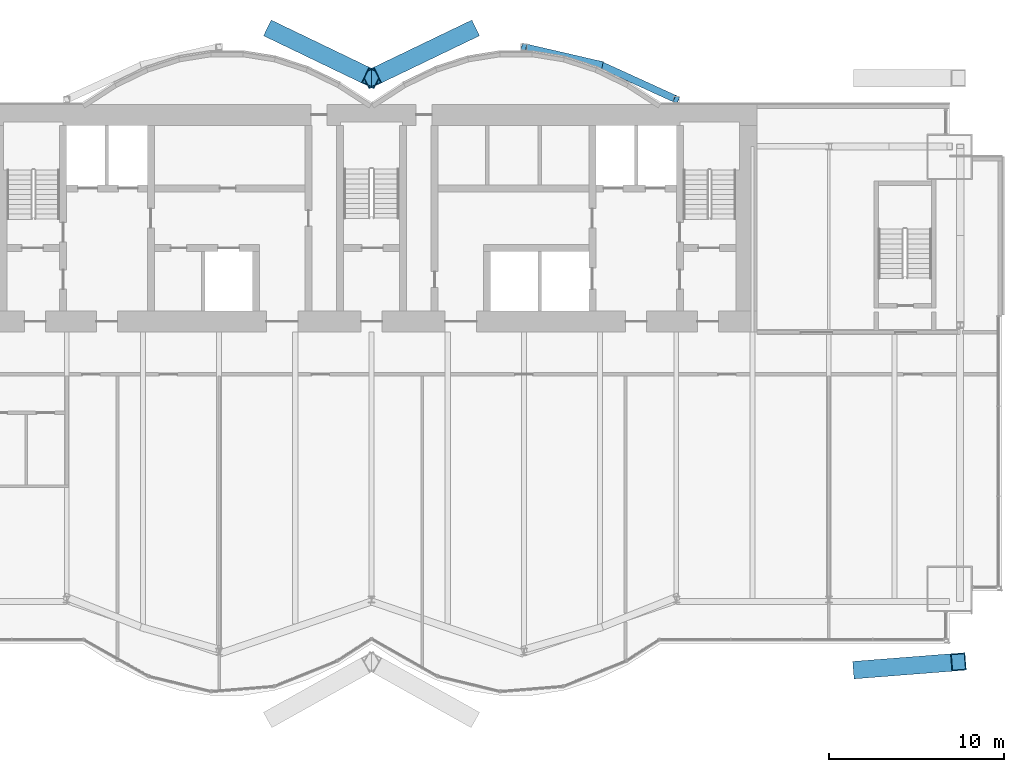
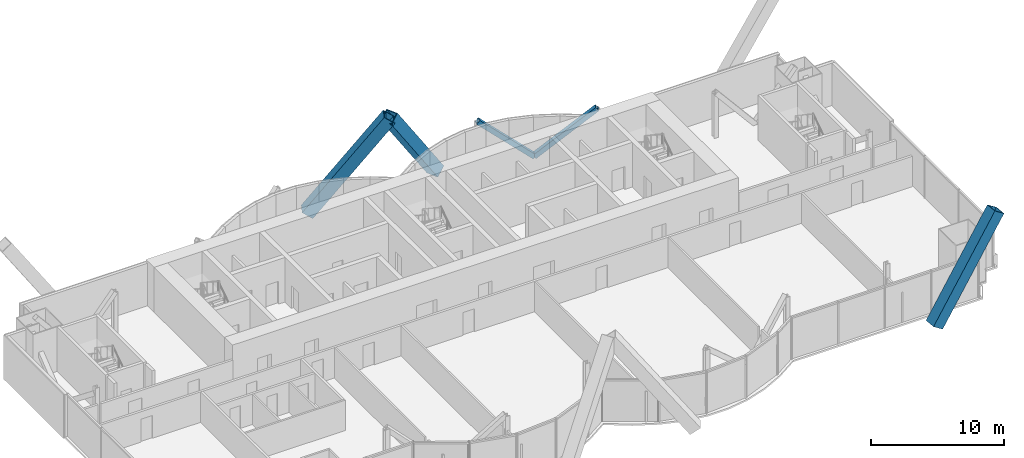
# One storey, part 11 of 20: 5 members.
"""IFC4 building model written with IfcOpenShell, lengths in metres."""

import ifcopenshell
import ifcopenshell.guid

model = None  # the IFC model being written
_history = None  # IfcOwnerHistory: only IFC2X3 demands one
_inside = {}  # id of a spatial element -> (the spatial element, [elements in it])
_under = {}  # id of a project, library or spatial element -> (it, [spatial elements below it])
_declared = {}  # id of a project -> (the project, [libraries it declares])
_typed = {}  # id of a type object -> (the type object, [elements of that type])
_made_of = {}  # id of a material, layer set ... -> (it, [elements and type objects made of it])


def new_model(schema):
    """Start an empty IFC model of exactly this schema.

    Asked for "IFC4X3", IfcOpenShell would pick the latest addendum, in which some entities
    have other attributes; the version numbers below select the first issue.
    IFC2X3 requires an IfcOwnerHistory on every rooted entity: one is made here for all.
    """
    global model, _history
    if schema == "IFC4X3":
        model = ifcopenshell.file(schema_version=(4, 3, 0, 0))
    else:
        model = ifcopenshell.file(schema=schema)
    _inside.clear()
    _under.clear()
    _declared.clear()
    _typed.clear()
    _made_of.clear()
    _history = None
    if model.schema == "IFC2X3":
        org = make("IfcOrganization", Name="unknown")
        user = make(
            "IfcPersonAndOrganization",
            ThePerson=make("IfcPerson", FamilyName="unknown"),
            TheOrganization=org,
        )
        app = make(
            "IfcApplication",
            ApplicationDeveloper=org,
            Version="unknown",
            ApplicationFullName="unknown",
            ApplicationIdentifier="unknown",
        )
        _history = make(
            "IfcOwnerHistory",
            OwningUser=user,
            OwningApplication=app,
            ChangeAction="ADDED",
            CreationDate=0,
        )
    return model


def make(cls, **values):
    """One entity of the class cls with the attributes given. An attribute that is None is left unset."""
    return model.create_entity(
        cls, **{name: value for name, value in values.items() if value is not None}
    )


def rooted(cls, **values):
    """An entity with a GlobalId (a new one), such as an element, a storey or a relation."""
    return make(cls, GlobalId=ifcopenshell.guid.new(), OwnerHistory=_history, **values)


def si_unit(unit_type, name, prefix=None):
    """IfcSIUnit, for example si_unit("LENGTHUNIT", "METRE", prefix="MILLI")."""
    return make("IfcSIUnit", UnitType=unit_type, Prefix=prefix, Name=name)


def assignment(units):
    """IfcUnitAssignment: the units of a project."""
    return None if units is None else make("IfcUnitAssignment", Units=units)


def point(xyz):
    """IfcCartesianPoint."""
    return None if xyz is None else make("IfcCartesianPoint", Coordinates=xyz)


def direction(xyz):
    """IfcDirection."""
    return None if xyz is None else make("IfcDirection", DirectionRatios=xyz)


def frame(location, z_axis=None, x_axis=None):
    """IfcAxis2Placement3D, a coordinate frame: its origin and axes. An axis left out is left unset."""
    return make(
        "IfcAxis2Placement3D",
        Location=point(location),
        Axis=direction(z_axis),
        RefDirection=direction(x_axis),
    )


def frame_2d(location, x_axis=None):
    """IfcAxis2Placement2D, a coordinate frame in the plane: its origin and x axis."""
    return make(
        "IfcAxis2Placement2D", Location=point(location), RefDirection=direction(x_axis)
    )


def origin():
    """The frame at (0, 0, 0) with its axes left unset."""
    return frame((0.0, 0.0, 0.0))


def origin_2d():
    """The frame at (0, 0) in the plane with its x axis left unset."""
    return frame_2d((0.0, 0.0))


def place(relative_to, where):
    """IfcLocalPlacement: puts the frame where relative to a parent placement (None: the world)."""
    return make(
        "IfcLocalPlacement", PlacementRelTo=relative_to, RelativePlacement=where
    )


def context(
    kind, dimensions, precision=None, world=None, true_north=None, identifier=None
):
    """IfcGeometricRepresentationContext, for example the 3D "Model" context."""
    return make(
        "IfcGeometricRepresentationContext",
        ContextIdentifier=identifier,
        ContextType=kind,
        CoordinateSpaceDimension=dimensions,
        Precision=precision,
        WorldCoordinateSystem=world,
        TrueNorth=true_north,
    )


def subcontext(parent, identifier, kind, view, scale=None):
    """IfcGeometricRepresentationSubContext, for example "Body" below "Model"."""
    return make(
        "IfcGeometricRepresentationSubContext",
        ContextIdentifier=identifier,
        ContextType=kind,
        ParentContext=parent,
        TargetScale=scale,
        TargetView=view,
    )


def project(units=None, contexts=None):
    """IfcProject with its units and contexts."""
    return rooted(
        "IfcProject",
        Name="project",
        RepresentationContexts=contexts,
        UnitsInContext=assignment(units),
    )


def spatial(cls, under=None, at=None, **own):
    """A site, building, storey or space (cls), placed at a placement, below another one or the project."""
    s = rooted(cls, ObjectPlacement=at, **own)
    if under is not None:
        _under.setdefault(under.id(), (under, []))[1].append(s)
    return s


def profile(cls, at=None, kind="AREA", **sizes):
    """A parametric profile (cls). Its sizes go by their IFC names, for example OverallWidth=200.0."""
    return make(cls, ProfileType=kind, Position=at, **sizes)


def hollow_rectangle(**sizes):
    """IfcRectangleHollowProfileDef."""
    return profile("IfcRectangleHollowProfileDef", **sizes)


def extrude(swept, where, along, depth):
    """IfcExtrudedAreaSolid: the profile swept, set in the frame where, extruded along a direction by depth."""
    return make(
        "IfcExtrudedAreaSolid",
        SweptArea=swept,
        Position=where,
        ExtrudedDirection=direction(along),
        Depth=depth,
    )


def shape(context_of_items, identifier, shape_type, items):
    """IfcShapeRepresentation: the items that make up one representation, for example the "Body"."""
    return make(
        "IfcShapeRepresentation",
        ContextOfItems=context_of_items,
        RepresentationIdentifier=identifier,
        RepresentationType=shape_type,
        Items=items,
    )


def material(Name=None, Category=None):
    """IfcMaterial."""
    return make("IfcMaterial", Name=Name, Category=Category)


def material_profile(
    of_material, cross_section, Name=None, Category=None, Priority=None
):
    """IfcMaterialProfile: a cross section and its material."""
    return make(
        "IfcMaterialProfile",
        Name=Name,
        Material=of_material,
        Profile=cross_section,
        Priority=Priority,
        Category=Category,
    )


def profile_set(profiles, Name=None, composite=None):
    """IfcMaterialProfileSet."""
    return make(
        "IfcMaterialProfileSet",
        Name=Name,
        MaterialProfiles=profiles,
        CompositeProfile=composite,
    )


def made_of(thing, what):
    """Note that an element or type object is made of a material, layer set ...; save() writes the relation."""
    if what is not None:
        _made_of.setdefault(what.id(), (what, []))[1].append(thing)
    return thing


def type_object(cls, material=None, **own):
    """A type object (cls), such as IfcWallType, which elements share."""
    return made_of(rooted(cls, **own), material)


def element(
    cls,
    number,
    at=None,
    inside=None,
    cuts=None,
    type_object=None,
    material=None,
    context=None,
    identifier="Body",
    shape_type=None,
    held_by="IfcProductDefinitionShape",
    body=None,
    shapes=None,
    **own,
):
    """One element of the class cls, such as IfcWall. Its Tag is "e" and its number.

    at: its placement. inside: the storey or other place that contains it. cuts: it is an
    opening in that element (IfcRelVoidsElement). A single representation is given by context,
    identifier, shape_type and body (its items); several are given by shapes. held_by: the class
    of the entity that holds the representations. save() writes the other relations.
    """
    e = rooted(cls, Tag="e%d" % number, ObjectPlacement=at, **own)
    if body is not None:
        shapes = [shape(context, identifier, shape_type, body)]
    if shapes is not None:
        e.Representation = make(held_by, Representations=shapes)
    if inside is not None:
        _inside.setdefault(inside.id(), (inside, []))[1].append(e)
    if cuts is not None:
        rooted(
            "IfcRelVoidsElement", RelatingBuildingElement=cuts, RelatedOpeningElement=e
        )
    if type_object is not None:
        _typed.setdefault(type_object.id(), (type_object, []))[1].append(e)
    return made_of(e, material)


def aggregate(whole, parts):
    """IfcRelAggregates: a whole, such as a stair, and the parts it consists of."""
    return rooted("IfcRelAggregates", RelatingObject=whole, RelatedObjects=parts)


def save(model, path):
    """Write the relations noted so far, then the file.

    IfcRelAggregates (storeys below a building ...), IfcRelContainedInSpatialStructure (elements
    in a storey), IfcRelDefinesByType, IfcRelAssociatesMaterial and IfcRelDeclares: one each for
    every whole, place, type object, material and project.
    """
    for whole, parts in _under.values():
        aggregate(whole, parts)
    for where, things in _inside.values():
        rooted(
            "IfcRelContainedInSpatialStructure",
            RelatedElements=things,
            RelatingStructure=where,
        )
    for kind, things in _typed.values():
        rooted("IfcRelDefinesByType", RelatedObjects=things, RelatingType=kind)
    for what, things in _made_of.values():
        rooted("IfcRelAssociatesMaterial", RelatedObjects=things, RelatingMaterial=what)
    for by, libraries in _declared.values():
        rooted("IfcRelDeclares", RelatingContext=by, RelatedDefinitions=libraries)
    model.write(path)


model = new_model("IFC4")

# Units and contexts
model_context = context("Model", 3, precision=1e-05, world=origin(), true_north=direction((0.0, 1.0)))
body_context = subcontext(model_context, "Body", "Model", "MODEL_VIEW")
ifc_project = project(units=[si_unit("LENGTHUNIT", "METRE"), si_unit("AREAUNIT", "SQUARE_METRE"), si_unit("VOLUMEUNIT", "CUBIC_METRE"), si_unit("PLANEANGLEUNIT", "RADIAN"), si_unit("MASSUNIT", "GRAM", prefix="KILO")], contexts=[model_context])

# Site, building, storey
site_placement = place(None, origin())
site = spatial("IfcSite", under=ifc_project, at=site_placement, CompositionType="ELEMENT")
building_placement = place(site_placement, origin())
building = spatial("IfcBuilding", under=site, at=building_placement, Name="Bicima Exchange Tower", CompositionType="ELEMENT")
storey_placement = place(building_placement, frame((0.0, 0.0, 231.89990234375)))
storey = spatial("IfcBuildingStorey", under=building, at=storey_placement, Name="L52", CompositionType="ELEMENT", Elevation=231.89990234375)

# Members
ifc_material = material(Name="Steel ASTM A572 Gr 50", Category="steel")
ifc_material_profile_1 = material_profile(ifc_material, hollow_rectangle(XDim=1.0, YDim=1.0, WallThickness=0.06005859375, at=origin_2d()))
ifc_profile_set_1 = profile_set([ifc_material_profile_1], Name="Steel ASTM A572 Gr 50")
member_type_1 = type_object("IfcMemberType", Name="Exo mega brace BOX 1000x1000x60", PredefinedType="BRACE", material=ifc_profile_set_1)
member_1_placement = place(storey_placement, frame((27.916748046875, -32.26513671875, 0.183349609375), z_axis=(0.552269884762, 0.043178912675, 0.832546428666), x_axis=(-0.077946568622, 0.996957537932, 0.0)))
element("IfcMember", 1, at=member_1_placement, inside=storey, type_object=member_type_1, Name="Exo mega brace front", PredefinedType="BRACE", context=body_context, shape_type="SweptSolid", body=[
    extrude(hollow_rectangle(XDim=1.0, YDim=1.0, WallThickness=0.06005859375, at=origin_2d()), origin(), (0.0, 0.0, 1.0), 10.109619140625),
])
for number, where, z_axis, x_axis, name in (
    (2, (-5.583251953125, 4.1865234375, 0.183349609375), (0.53421092373, -0.257049149711, 0.80532255873), (0.433591692225, 0.901109451972, 0.0), "Exo mega brace rear"),
    (3, (5.583251953125, 4.1865234375, 0.183349609375), (-0.53421092373, -0.257049149711, 0.80532255873), (0.433591692225, -0.901109451972, 0.0), "Exo mega brace rear"),
):
    element("IfcMember", number, at=place(storey_placement, frame(where, z_axis=z_axis, x_axis=x_axis)), inside=storey, type_object=member_type_1, Name=name, PredefinedType="BRACE", context=body_context, shape_type="SweptSolid", body=[
        extrude(hollow_rectangle(XDim=1.0, YDim=1.0, WallThickness=0.06005859375, at=origin_2d()), origin(), (0.0, 0.0, 1.0), 10.451416015625),
    ])
ifc_material_profile_2 = material_profile(ifc_material, hollow_rectangle(XDim=0.406494140625, YDim=0.406494140625, WallThickness=0.0146484375, at=origin_2d()))
ifc_profile_set_2 = profile_set([ifc_material_profile_2], Name="Steel ASTM A572 Gr 50")
member_type_2 = type_object("IfcMemberType", Name="Mega brace HSS16x16x5/8", PredefinedType="BRACE", material=ifc_profile_set_2)
member_2_placement = place(storey_placement, frame((13.050048828125, 2.262451171875, 0.0), z_axis=(0.690628963585, -0.315060460011, 0.650975069565), x_axis=(0.415045223819, 0.909800781592, 0.0)))
element("IfcMember", 4, at=member_2_placement, inside=storey, type_object=member_type_2, Name="Mega brace rexo", PredefinedType="BRACE", context=body_context, shape_type="SweptSolid", body=[
    extrude(hollow_rectangle(XDim=0.406494140625, YDim=0.406494140625, WallThickness=0.0146484375, at=origin_2d()), origin(), (0.0, 0.0, 1.0), 6.29833984375),
])
member_3_placement = place(storey_placement, frame((13.050048828125, 2.262451171875, 0.0), z_axis=(-0.717605620354, 0.166050509188, 0.676364843878), x_axis=(-0.225438503722, -0.974257399787, 0.0)))
element("IfcMember", 5, at=member_3_placement, inside=storey, type_object=member_type_2, Name="Mega brace rexo", PredefinedType="BRACE", context=body_context, shape_type="SweptSolid", body=[
    extrude(hollow_rectangle(XDim=0.406494140625, YDim=0.406494140625, WallThickness=0.0146484375, at=origin_2d()), origin(), (0.0, 0.0, 1.0), 6.06201171875),
])

save(model, "model.ifc")
